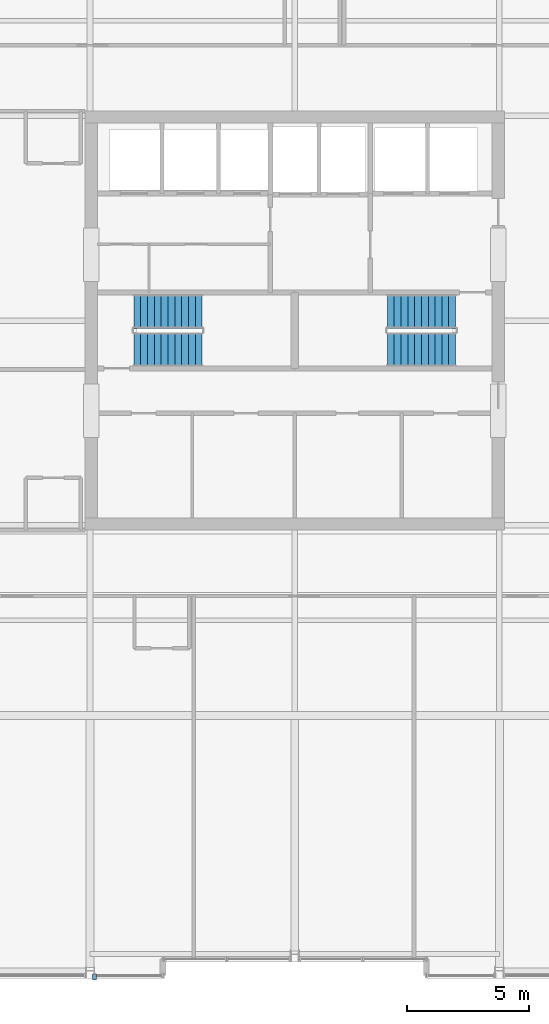
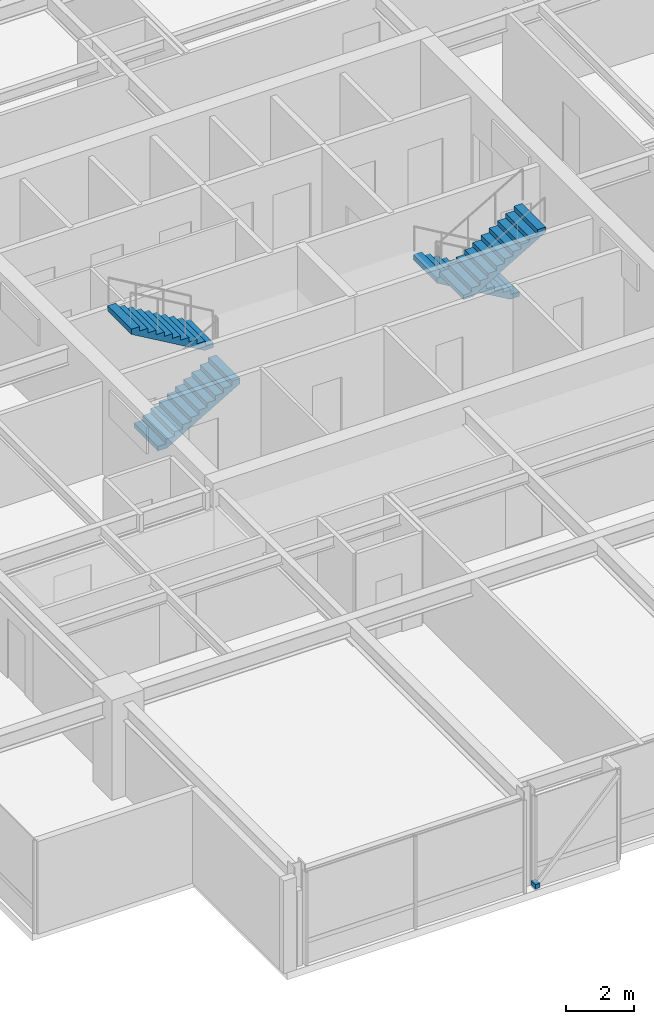
# One storey, part 29 of 32: 4 stair flights, 1 discrete accessory, 2 elements without a shape of their own.
"""IFC4 building model written with IfcOpenShell, lengths in metres."""

from ifc_helpers import new_model, si_unit, direction, frame, origin, origin_2d, place, context, subcontext, project, spatial, polyline, rectangle, outline, extrude, material, type_object, element, aggregate, save


model = new_model("IFC4")

# Units and contexts
model_context = context("Model", 3, precision=1e-05, world=origin(), true_north=direction((0.0, 1.0)))
body_context = subcontext(model_context, "Body", "Model", "MODEL_VIEW")
ifc_project = project(units=[si_unit("LENGTHUNIT", "METRE"), si_unit("AREAUNIT", "SQUARE_METRE"), si_unit("VOLUMEUNIT", "CUBIC_METRE"), si_unit("PLANEANGLEUNIT", "RADIAN"), si_unit("MASSUNIT", "GRAM", prefix="KILO")], contexts=[model_context])

# Site, building, storey
site_placement = place(None, origin())
site = spatial("IfcSite", under=ifc_project, at=site_placement, CompositionType="ELEMENT")
building_placement = place(site_placement, origin())
building = spatial("IfcBuilding", under=site, at=building_placement, Name="Drelvath Grand Hotel", CompositionType="ELEMENT")
storey_placement = place(building_placement, frame((0.0, 0.0, 223.10009765625)))
storey = spatial("IfcBuildingStorey", under=building, at=storey_placement, Name="L58", CompositionType="ELEMENT", Elevation=223.10009765625)

# Stair, stair flights
ifc_material_1 = material(Name="Concrete C40/50", Category="concrete")
stair_type = type_object("IfcStairType", Name="Dogleg Exit Stair W1400-R163.6", PredefinedType="HALF_TURN_STAIR", material=ifc_material_1)
stair_1_placement = place(storey_placement, origin())
stair_1 = element("IfcStair", 1, at=stair_1_placement, inside=storey, type_object=stair_type, Name="L58 Core Exit Stair ST-1", PredefinedType="HALF_TURN_STAIR")
stair_flight_type = type_object("IfcStairFlightType", Name="Concrete Stair Flight W1400-R163.6", PredefinedType="STRAIGHT", material=ifc_material_1)
stair_flight_1_placement = place(storey_placement, frame((-6.60009765625, 25.820068359375, 0.0), z_axis=(0.0, 0.0, 1.0), x_axis=(1.0, 0.0, 0.0)))
stair_flight_1 = element("IfcStairFlight", 2, at=stair_flight_1_placement, type_object=stair_flight_type, Name="ST-1 flight 1", NumberOfRisers=11, NumberOfTreads=10, PredefinedType="STRAIGHT", RiserHeight=0.163636364, TreadLength=0.28, context=body_context, shape_type="SweptSolid", body=[
    extrude(outline(polyline([(0.0, 0.0), (0.0, 0.16357421875), (0.280029296875, 0.16357421875), (0.280029296875, 0.327392578125), (0.56005859375, 0.327392578125), (0.56005859375, 0.490966796875), (0.840087890625, 0.490966796875), (0.840087890625, 0.654541015625), (1.1201171875, 0.654541015625), (1.1201171875, 0.818115234375), (1.39990234375, 0.818115234375), (1.39990234375, 0.98193359375), (1.679931640625, 0.98193359375), (1.679931640625, 1.1455078125), (1.9599609375, 1.1455078125), (1.9599609375, 1.30908203125), (2.239990234375, 1.30908203125), (2.239990234375, 1.47265625), (2.52001953125, 1.47265625), (2.52001953125, 1.636474609375), (2.800048828125, 1.636474609375), (2.800048828125, 1.800048828125), (2.800048828125, 1.451171875), (0.31689453125, 0.0), (0.0, 0.0)])), frame((0.0, 0.699951171875, 0.0), z_axis=(0.0, -1.0, 0.0), x_axis=(1.0, 0.0, 0.0)), (0.0, 0.0, 1.0), 1.39990234375),
])
stair_flight_2_placement = place(storey_placement, frame((-3.800048828125, 27.3798828125, 1.7998046875), z_axis=(0.0, 0.0, 1.0), x_axis=(-1.0, 0.0, 0.0)))
stair_flight_2 = element("IfcStairFlight", 3, at=stair_flight_2_placement, type_object=stair_flight_type, Name="ST-1 flight 2", NumberOfRisers=11, NumberOfTreads=10, PredefinedType="STRAIGHT", RiserHeight=0.163636364, TreadLength=0.28, context=body_context, shape_type="SweptSolid", body=[
    extrude(outline(polyline([(0.0, 0.0), (0.0, 0.16357421875), (0.280029296875, 0.16357421875), (0.280029296875, 0.327392578125), (0.56005859375, 0.327392578125), (0.56005859375, 0.490966796875), (0.840087890625, 0.490966796875), (0.840087890625, 0.654541015625), (1.1201171875, 0.654541015625), (1.1201171875, 0.818115234375), (1.39990234375, 0.818115234375), (1.39990234375, 0.98193359375), (1.679931640625, 0.98193359375), (1.679931640625, 1.1455078125), (1.9599609375, 1.1455078125), (1.9599609375, 1.30908203125), (2.239990234375, 1.30908203125), (2.239990234375, 1.47265625), (2.52001953125, 1.47265625), (2.52001953125, 1.636474609375), (2.800048828125, 1.636474609375), (2.800048828125, 1.800048828125), (2.800048828125, 1.451171875), (0.31689453125, 0.0), (0.0, 0.0)])), frame((0.0, 0.699951171875, 0.0), z_axis=(0.0, -1.0, 0.0), x_axis=(1.0, 0.0, 0.0)), (0.0, 0.0, 1.0), 1.39990234375),
])
aggregate(stair_1, [stair_flight_1, stair_flight_2])

stair_2_placement = place(storey_placement, origin())
stair_2 = element("IfcStair", 4, at=stair_2_placement, inside=storey, type_object=stair_type, Name="L58 Core Exit Stair ST-2", PredefinedType="HALF_TURN_STAIR")
stair_flight_3_placement = place(storey_placement, frame((6.60009765625, 27.3798828125, 0.0), z_axis=(0.0, 0.0, 1.0), x_axis=(-1.0, 0.0, 0.0)))
stair_flight_3 = element("IfcStairFlight", 5, at=stair_flight_3_placement, type_object=stair_flight_type, Name="ST-2 flight 1", NumberOfRisers=11, NumberOfTreads=10, PredefinedType="STRAIGHT", RiserHeight=0.163636364, TreadLength=0.28, context=body_context, shape_type="SweptSolid", body=[
    extrude(outline(polyline([(0.0, 0.0), (0.0, 0.16357421875), (0.280029296875, 0.16357421875), (0.280029296875, 0.327392578125), (0.56005859375, 0.327392578125), (0.56005859375, 0.490966796875), (0.840087890625, 0.490966796875), (0.840087890625, 0.654541015625), (1.1201171875, 0.654541015625), (1.1201171875, 0.818115234375), (1.39990234375, 0.818115234375), (1.39990234375, 0.98193359375), (1.679931640625, 0.98193359375), (1.679931640625, 1.1455078125), (1.9599609375, 1.1455078125), (1.9599609375, 1.30908203125), (2.239990234375, 1.30908203125), (2.239990234375, 1.47265625), (2.52001953125, 1.47265625), (2.52001953125, 1.636474609375), (2.800048828125, 1.636474609375), (2.800048828125, 1.800048828125), (2.800048828125, 1.451171875), (0.31689453125, 0.0), (0.0, 0.0)])), frame((0.0, 0.699951171875, 0.0), z_axis=(0.0, -1.0, 0.0), x_axis=(1.0, 0.0, 0.0)), (0.0, 0.0, 1.0), 1.39990234375),
])
stair_flight_4_placement = place(storey_placement, frame((3.800048828125, 25.820068359375, 1.7998046875), z_axis=(0.0, 0.0, 1.0), x_axis=(1.0, 0.0, 0.0)))
stair_flight_4 = element("IfcStairFlight", 6, at=stair_flight_4_placement, type_object=stair_flight_type, Name="ST-2 flight 2", NumberOfRisers=11, NumberOfTreads=10, PredefinedType="STRAIGHT", RiserHeight=0.163636364, TreadLength=0.28, context=body_context, shape_type="SweptSolid", body=[
    extrude(outline(polyline([(0.0, 0.0), (0.0, 0.16357421875), (0.280029296875, 0.16357421875), (0.280029296875, 0.327392578125), (0.56005859375, 0.327392578125), (0.56005859375, 0.490966796875), (0.840087890625, 0.490966796875), (0.840087890625, 0.654541015625), (1.1201171875, 0.654541015625), (1.1201171875, 0.818115234375), (1.39990234375, 0.818115234375), (1.39990234375, 0.98193359375), (1.679931640625, 0.98193359375), (1.679931640625, 1.1455078125), (1.9599609375, 1.1455078125), (1.9599609375, 1.30908203125), (2.239990234375, 1.30908203125), (2.239990234375, 1.47265625), (2.52001953125, 1.47265625), (2.52001953125, 1.636474609375), (2.800048828125, 1.636474609375), (2.800048828125, 1.800048828125), (2.800048828125, 1.451171875), (0.31689453125, 0.0), (0.0, 0.0)])), frame((0.0, 0.699951171875, 0.0), z_axis=(0.0, -1.0, 0.0), x_axis=(1.0, 0.0, 0.0)), (0.0, 0.0, 1.0), 1.39990234375),
])
aggregate(stair_2, [stair_flight_3, stair_flight_4])

# Discrete accessory
ifc_material_2 = material(Name="Stainless Steel Grade 316", Category="steel")
discrete_accessory_type = type_object("IfcDiscreteAccessoryType", Name="Curtain Wall Fin Mounting Bracket Cleat", PredefinedType="BRACKET", material=ifc_material_2)
discrete_accessory_placement = place(storey_placement, frame((-8.214599609375, 0.06005859375, 0.10009765625), z_axis=(0.0, 0.0, 1.0), x_axis=(-1.0, 0.0, 0.0)))
element("IfcDiscreteAccessory", 7, at=discrete_accessory_placement, inside=storey, type_object=discrete_accessory_type, Name="L58 Fin Mounting Bracket CW05-L58-SW3-1", PredefinedType="BRACKET", context=body_context, shape_type="SweptSolid", body=[
    extrude(rectangle(XDim=0.159912109375, YDim=0.239990234375, at=origin_2d()), origin(), (0.0, 0.0, 1.0), 0.159912109375),
])

save(model, "model.ifc")
